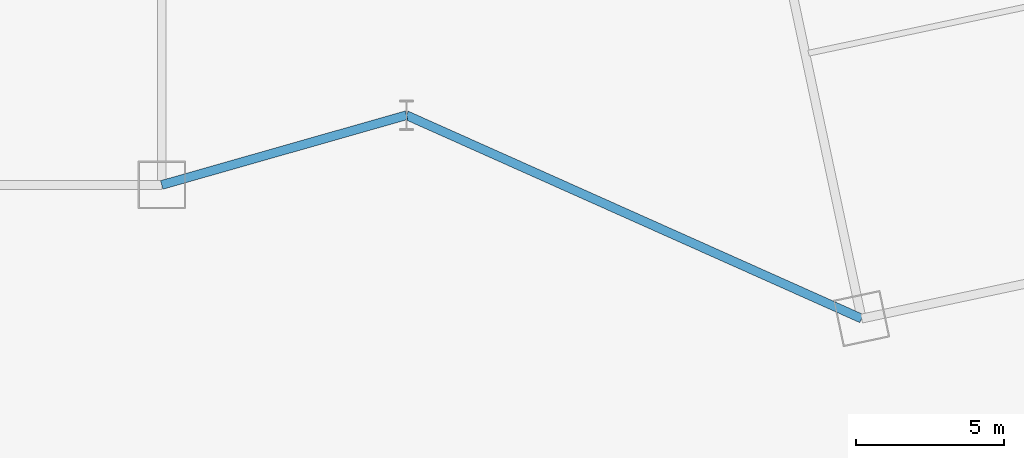
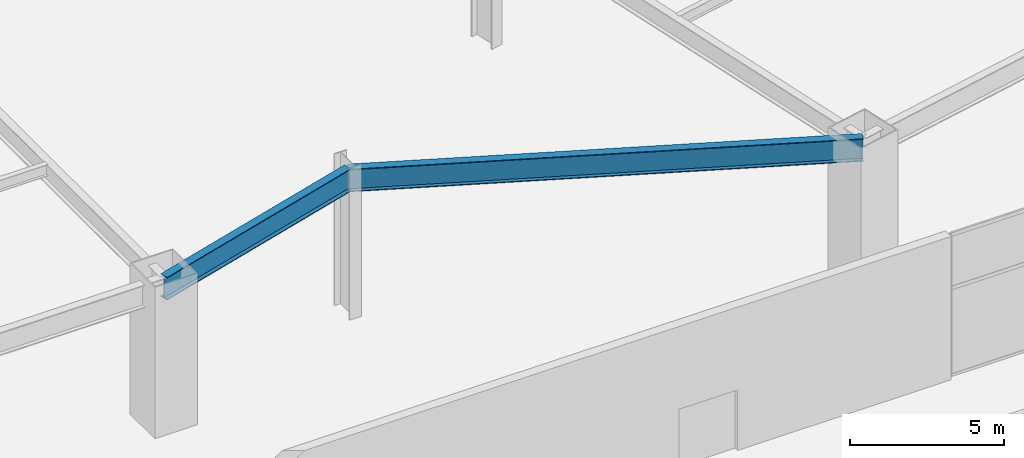
# One storey, part 9 of 30: 2 beams.
"""IFC4 building model written with IfcOpenShell, lengths in metres."""

from ifc_helpers import new_model, si_unit, direction, frame, origin, origin_2d, place, context, subcontext, project, spatial, i_section, extrude, material, material_profile, profile_set, type_object, element, save


model = new_model("IFC4")

# Units and contexts
model_context = context("Model", 3, precision=1e-05, world=origin(), true_north=direction((0.0, 1.0)))
body_context = subcontext(model_context, "Body", "Model", "MODEL_VIEW")
ifc_project = project(units=[si_unit("LENGTHUNIT", "METRE"), si_unit("AREAUNIT", "SQUARE_METRE"), si_unit("VOLUMEUNIT", "CUBIC_METRE"), si_unit("PLANEANGLEUNIT", "RADIAN"), si_unit("MASSUNIT", "GRAM", prefix="KILO")], contexts=[model_context])

# Site, building, storey
site_placement = place(None, origin())
site = spatial("IfcSite", under=ifc_project, at=site_placement, CompositionType="ELEMENT")
building_placement = place(site_placement, origin())
building = spatial("IfcBuilding", under=site, at=building_placement, Name="Haevon Station Towers", CompositionType="ELEMENT")
storey_placement = place(building_placement, origin())
storey = spatial("IfcBuildingStorey", under=building, at=storey_placement, Name="L00", CompositionType="ELEMENT", Elevation=0.0)

# Beams
ifc_material = material(Name="Steel S355", Category="steel")
ifc_material_profile = material_profile(ifc_material, i_section(OverallWidth=0.300048828125, OverallDepth=0.89990234375, WebThickness=0.01611328125, FlangeThickness=0.028076171875, at=origin_2d()), Name="H-900x300x16x28")
ifc_profile_set = profile_set([ifc_material_profile], Name="Steel S355")
beam_type = type_object("IfcBeamType", Name="BM-PG900", PredefinedType="BEAM", material=ifc_profile_set)
beam_1_placement = place(storey_placement, frame((64.75, 15.14990234375, 5.25), z_axis=(0.961740592782, 0.273961734911, 0.0), x_axis=(-0.273961734911, 0.961740592782, 0.0)))
element("IfcBeam", 1, at=beam_1_placement, inside=storey, type_object=beam_type, Name="BM-PODLKS1-L00", PredefinedType="BEAM", context=body_context, shape_type="SweptSolid", body=[
    extrude(i_section(OverallWidth=0.300048828125, OverallDepth=0.89990234375, WebThickness=0.01611328125, FlangeThickness=0.028076171875, at=origin_2d()), origin(), (0.0, 0.0, 1.0), 8.578125),
])
beam_2_placement = place(storey_placement, frame((73.0, 17.5, 5.25), z_axis=(0.913018608866, -0.407917908242, 0.0), x_axis=(0.407917908242, 0.913018608866, 0.0)))
element("IfcBeam", 2, at=beam_2_placement, inside=storey, type_object=beam_type, Name="BM-PODLKS2-L00", PredefinedType="BEAM", context=body_context, shape_type="SweptSolid", body=[
    extrude(i_section(OverallWidth=0.300048828125, OverallDepth=0.89990234375, WebThickness=0.01611328125, FlangeThickness=0.028076171875, at=origin_2d()), origin(), (0.0, 0.0, 1.0), 16.80908203125),
])

save(model, "model.ifc")
